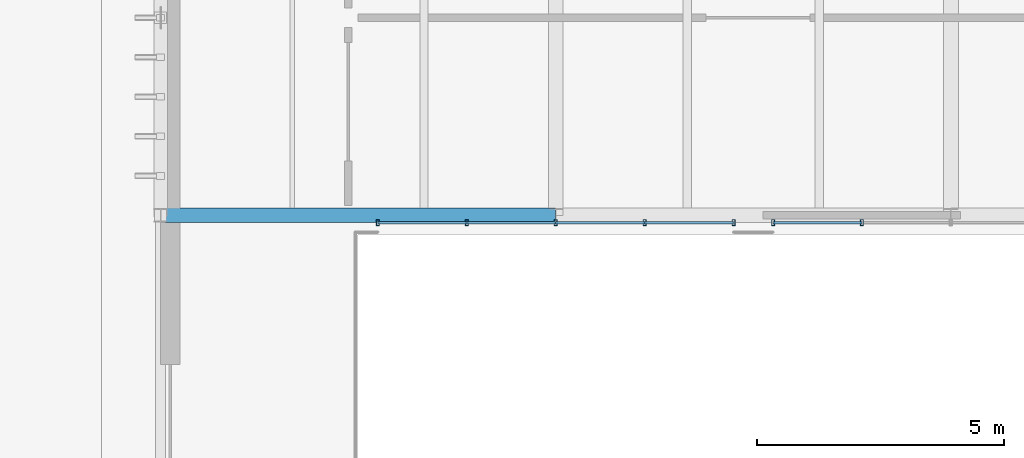
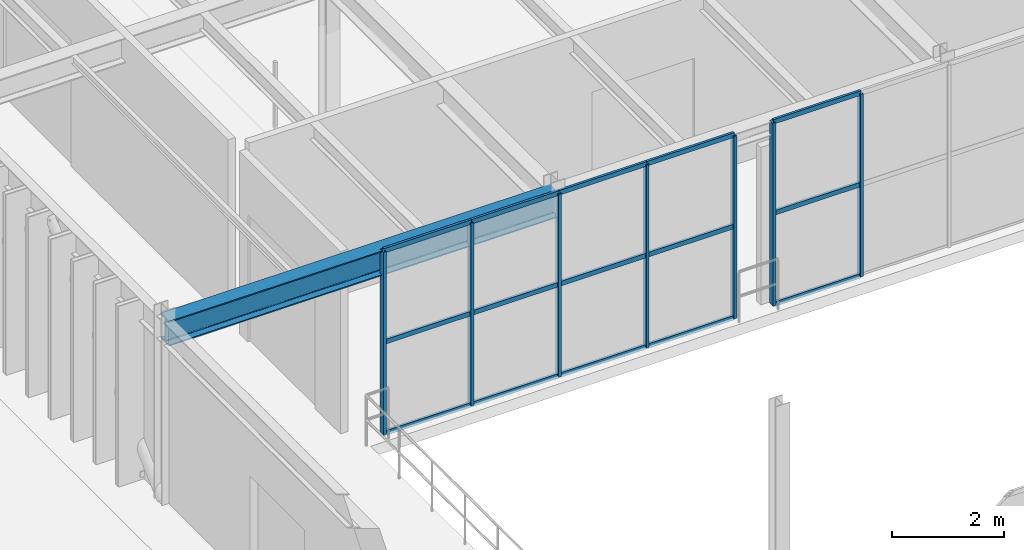
# One storey, part 44 of 122: 22 members, 1 beam, 2 elements without a shape of their own.
"""IFC4 building model written with IfcOpenShell, lengths in metres."""

from ifc_helpers import new_model, si_unit, direction, frame, origin, origin_2d, place, context, subcontext, project, spatial, hollow_rectangle, i_section, extrude, material, material_profile, profile_set, type_object, element, aggregate, save


model = new_model("IFC4")

# Units and contexts
model_context = context("Model", 3, precision=1e-05, world=origin(), true_north=direction((0.0, 1.0)))
body_context = subcontext(model_context, "Body", "Model", "MODEL_VIEW")
ifc_project = project(units=[si_unit("LENGTHUNIT", "METRE"), si_unit("AREAUNIT", "SQUARE_METRE"), si_unit("VOLUMEUNIT", "CUBIC_METRE"), si_unit("PLANEANGLEUNIT", "RADIAN"), si_unit("MASSUNIT", "GRAM", prefix="KILO")], contexts=[model_context])

# Site, building, storey
site_placement = place(None, origin())
site = spatial("IfcSite", under=ifc_project, at=site_placement, CompositionType="ELEMENT")
building_placement = place(site_placement, origin())
building = spatial("IfcBuilding", under=site, at=building_placement, Name="Sundkrona Museum", CompositionType="ELEMENT")
storey_placement = place(building_placement, frame((0.0, 0.0, 5.39990234375)))
storey = spatial("IfcBuildingStorey", under=building, at=storey_placement, Name="L01", CompositionType="ELEMENT", Elevation=5.39990234375)

# Beam
ifc_material_1 = material(Name="Steel S355J2", Category="steel")
ifc_material_profile_1 = material_profile(ifc_material_1, i_section(OverallWidth=0.300048828125, OverallDepth=0.5400390625, WebThickness=0.012451171875, FlangeThickness=0.02392578125, FilletRadius=0.027099609375, at=origin_2d()), Name="HEA 550")
ifc_profile_set_1 = profile_set([ifc_material_profile_1], Name="Steel S355J2")
beam_type = type_object("IfcBeamType", Name="B-HEA550", PredefinedType="BEAM", material=ifc_profile_set_1)
beam_placement = place(storey_placement, frame((16.0, 94.0, 3.690185546875), z_axis=(1.0, 0.0, 0.0), x_axis=(0.0, 1.0, 0.0)))
element("IfcBeam", 1, at=beam_placement, inside=storey, type_object=beam_type, Name="L01 Girder X-0908", PredefinedType="BEAM", context=body_context, shape_type="SweptSolid", body=[
    extrude(i_section(OverallWidth=0.300048828125, OverallDepth=0.5400390625, WebThickness=0.012451171875, FlangeThickness=0.02392578125, FilletRadius=0.027099609375, at=origin_2d()), origin(), (0.0, 0.0, 1.0), 8.0),
])

# Curtain wall, members
ifc_material_2 = material(Name="Unitised Aluminium-Steel and Ceramic-Clad Curtain Walling", Category="steel")
curtain_wall_type = type_object("IfcCurtainWallType", Name="CW-CL-64x38", PredefinedType="NOTDEFINED", material=ifc_material_2)
curtain_wall_1_placement = place(storey_placement, origin())
curtain_wall_1 = element("IfcCurtainWall", 2, at=curtain_wall_1_placement, inside=storey, type_object=curtain_wall_type, Name="L01 Curtain Wall CW-L01-125", PredefinedType="NOTDEFINED")
ifc_material_3 = material(Name="Aluminium EN AW-6060 T66", Category="aluminium")
ifc_material_profile_2 = material_profile(ifc_material_3, hollow_rectangle(XDim=0.06005859375, YDim=0.1201171875, WallThickness=0.0048828125, at=origin_2d()), Name="RHS 120x60x5.0")
ifc_profile_set_2 = profile_set([ifc_material_profile_2], Name="Aluminium EN AW-6060 T66")
member_type_1 = type_object("IfcMemberType", Name="ML-120", PredefinedType="MULLION", material=ifc_profile_set_2)
member_1_placement = place(storey_placement, frame((20.39990234375, 93.85009765625, -0.00390625), z_axis=(0.0, 0.0, 1.0), x_axis=(1.0, 0.0, 0.0)))
member_1 = element("IfcMember", 3, at=member_1_placement, type_object=member_type_1, Name="CW-L01-125 Mullion 01", PredefinedType="MULLION", context=body_context, shape_type="SweptSolid", body=[
    extrude(hollow_rectangle(XDim=0.06005859375, YDim=0.1201171875, WallThickness=0.0048828125, at=origin_2d()), origin(), (0.0, 0.0, 1.0), 3.968017578125),
])
member_2_placement = place(storey_placement, frame((22.199951171875, 93.85009765625, -0.00390625), z_axis=(0.0, 0.0, 1.0), x_axis=(1.0, 0.0, 0.0)))
member_2 = element("IfcMember", 4, at=member_2_placement, type_object=member_type_1, Name="CW-L01-125 Mullion 02", PredefinedType="MULLION", context=body_context, shape_type="SweptSolid", body=[
    extrude(hollow_rectangle(XDim=0.06005859375, YDim=0.1201171875, WallThickness=0.0048828125, at=origin_2d()), origin(), (0.0, 0.0, 1.0), 3.968017578125),
])
member_3_placement = place(storey_placement, frame((24.0, 93.85009765625, -0.00390625), z_axis=(0.0, 0.0, 1.0), x_axis=(1.0, 0.0, 0.0)))
member_3 = element("IfcMember", 5, at=member_3_placement, type_object=member_type_1, Name="CW-L01-125 Mullion 03", PredefinedType="MULLION", context=body_context, shape_type="SweptSolid", body=[
    extrude(hollow_rectangle(XDim=0.06005859375, YDim=0.1201171875, WallThickness=0.0048828125, at=origin_2d()), origin(), (0.0, 0.0, 1.0), 3.968017578125),
])
member_4_placement = place(storey_placement, frame((25.800048828125, 93.85009765625, -0.00390625), z_axis=(0.0, 0.0, 1.0), x_axis=(1.0, 0.0, 0.0)))
member_4 = element("IfcMember", 6, at=member_4_placement, type_object=member_type_1, Name="CW-L01-125 Mullion 04", PredefinedType="MULLION", context=body_context, shape_type="SweptSolid", body=[
    extrude(hollow_rectangle(XDim=0.06005859375, YDim=0.1201171875, WallThickness=0.0048828125, at=origin_2d()), origin(), (0.0, 0.0, 1.0), 3.968017578125),
])
member_5_placement = place(storey_placement, frame((27.60009765625, 93.85009765625, -0.00390625), z_axis=(0.0, 0.0, 1.0), x_axis=(1.0, 0.0, 0.0)))
member_5 = element("IfcMember", 7, at=member_5_placement, type_object=member_type_1, Name="CW-L01-125 Mullion 05", PredefinedType="MULLION", context=body_context, shape_type="SweptSolid", body=[
    extrude(hollow_rectangle(XDim=0.06005859375, YDim=0.1201171875, WallThickness=0.0048828125, at=origin_2d()), origin(), (0.0, 0.0, 1.0), 3.968017578125),
])

curtain_wall_2_placement = place(storey_placement, origin())
curtain_wall_2 = element("IfcCurtainWall", 8, at=curtain_wall_2_placement, inside=storey, type_object=curtain_wall_type, Name="L01 Curtain Wall CW-L01-127", PredefinedType="NOTDEFINED")
member_6_placement = place(storey_placement, frame((28.39990234375, 93.85009765625, -0.00390625), z_axis=(0.0, 0.0, 1.0), x_axis=(1.0, 0.0, 0.0)))
member_6 = element("IfcMember", 9, at=member_6_placement, type_object=member_type_1, Name="CW-L01-127 Mullion 01", PredefinedType="MULLION", context=body_context, shape_type="SweptSolid", body=[
    extrude(hollow_rectangle(XDim=0.06005859375, YDim=0.1201171875, WallThickness=0.0048828125, at=origin_2d()), origin(), (0.0, 0.0, 1.0), 3.968017578125),
])
member_7_placement = place(storey_placement, frame((30.199951171875, 93.85009765625, -0.00390625), z_axis=(0.0, 0.0, 1.0), x_axis=(1.0, 0.0, 0.0)))
member_7 = element("IfcMember", 10, at=member_7_placement, type_object=member_type_1, Name="CW-L01-127 Mullion 02", PredefinedType="MULLION", context=body_context, shape_type="SweptSolid", body=[
    extrude(hollow_rectangle(XDim=0.06005859375, YDim=0.1201171875, WallThickness=0.0048828125, at=origin_2d()), origin(), (0.0, 0.0, 1.0), 3.968017578125),
])

# Member
ifc_material_profile_3 = material_profile(ifc_material_3, hollow_rectangle(XDim=0.050048828125, YDim=0.10009765625, WallThickness=0.0048828125, at=origin_2d()), Name="RHS 100x50x5.0")
ifc_profile_set_3 = profile_set([ifc_material_profile_3], Name="Aluminium EN AW-6060 T66")
member_type_2 = type_object("IfcMemberType", Name="TR-100", PredefinedType="USERDEFINED", material=ifc_profile_set_3)
member_8_placement = place(storey_placement, frame((20.39990234375, 93.85009765625, -0.00390625), z_axis=(1.0, 0.0, 0.0), x_axis=(0.0, 1.0, 0.0)))
member_8 = element("IfcMember", 11, at=member_8_placement, type_object=member_type_2, Name="CW-L01-125 Transom 01", ObjectType="TRANSOM", PredefinedType="USERDEFINED", context=body_context, shape_type="SweptSolid", body=[
    extrude(hollow_rectangle(XDim=0.050048828125, YDim=0.10009765625, WallThickness=0.0048828125, at=origin_2d()), origin(), (0.0, 0.0, 1.0), 1.800048828125),
])

member_9_placement = place(storey_placement, frame((20.39990234375, 93.85009765625, 1.97998046875), z_axis=(1.0, 0.0, 0.0), x_axis=(0.0, 1.0, 0.0)))
member_9 = element("IfcMember", 12, at=member_9_placement, type_object=member_type_2, Name="CW-L01-125 Transom 02", ObjectType="TRANSOM", PredefinedType="USERDEFINED", context=body_context, shape_type="SweptSolid", body=[
    extrude(hollow_rectangle(XDim=0.050048828125, YDim=0.10009765625, WallThickness=0.0048828125, at=origin_2d()), origin(), (0.0, 0.0, 1.0), 1.800048828125),
])

member_10_placement = place(storey_placement, frame((20.39990234375, 93.85009765625, 3.964111328125), z_axis=(1.0, 0.0, 0.0), x_axis=(0.0, 1.0, 0.0)))
member_10 = element("IfcMember", 13, at=member_10_placement, type_object=member_type_2, Name="CW-L01-125 Transom 03", ObjectType="TRANSOM", PredefinedType="USERDEFINED", context=body_context, shape_type="SweptSolid", body=[
    extrude(hollow_rectangle(XDim=0.050048828125, YDim=0.10009765625, WallThickness=0.0048828125, at=origin_2d()), origin(), (0.0, 0.0, 1.0), 1.800048828125),
])

member_11_placement = place(storey_placement, frame((22.199951171875, 93.85009765625, -0.00390625), z_axis=(1.0, 0.0, 0.0), x_axis=(0.0, 1.0, 0.0)))
member_11 = element("IfcMember", 14, at=member_11_placement, type_object=member_type_2, Name="CW-L01-125 Transom 04", ObjectType="TRANSOM", PredefinedType="USERDEFINED", context=body_context, shape_type="SweptSolid", body=[
    extrude(hollow_rectangle(XDim=0.050048828125, YDim=0.10009765625, WallThickness=0.0048828125, at=origin_2d()), origin(), (0.0, 0.0, 1.0), 1.800048828125),
])

member_12_placement = place(storey_placement, frame((22.199951171875, 93.85009765625, 1.97998046875), z_axis=(1.0, 0.0, 0.0), x_axis=(0.0, 1.0, 0.0)))
member_12 = element("IfcMember", 15, at=member_12_placement, type_object=member_type_2, Name="CW-L01-125 Transom 05", ObjectType="TRANSOM", PredefinedType="USERDEFINED", context=body_context, shape_type="SweptSolid", body=[
    extrude(hollow_rectangle(XDim=0.050048828125, YDim=0.10009765625, WallThickness=0.0048828125, at=origin_2d()), origin(), (0.0, 0.0, 1.0), 1.800048828125),
])

member_13_placement = place(storey_placement, frame((22.199951171875, 93.85009765625, 3.964111328125), z_axis=(1.0, 0.0, 0.0), x_axis=(0.0, 1.0, 0.0)))
member_13 = element("IfcMember", 16, at=member_13_placement, type_object=member_type_2, Name="CW-L01-125 Transom 06", ObjectType="TRANSOM", PredefinedType="USERDEFINED", context=body_context, shape_type="SweptSolid", body=[
    extrude(hollow_rectangle(XDim=0.050048828125, YDim=0.10009765625, WallThickness=0.0048828125, at=origin_2d()), origin(), (0.0, 0.0, 1.0), 1.800048828125),
])

member_14_placement = place(storey_placement, frame((24.0, 93.85009765625, -0.00390625), z_axis=(1.0, 0.0, 0.0), x_axis=(0.0, 1.0, 0.0)))
member_14 = element("IfcMember", 17, at=member_14_placement, type_object=member_type_2, Name="CW-L01-125 Transom 07", ObjectType="TRANSOM", PredefinedType="USERDEFINED", context=body_context, shape_type="SweptSolid", body=[
    extrude(hollow_rectangle(XDim=0.050048828125, YDim=0.10009765625, WallThickness=0.0048828125, at=origin_2d()), origin(), (0.0, 0.0, 1.0), 1.800048828125),
])

member_15_placement = place(storey_placement, frame((24.0, 93.85009765625, 1.97998046875), z_axis=(1.0, 0.0, 0.0), x_axis=(0.0, 1.0, 0.0)))
member_15 = element("IfcMember", 18, at=member_15_placement, type_object=member_type_2, Name="CW-L01-125 Transom 08", ObjectType="TRANSOM", PredefinedType="USERDEFINED", context=body_context, shape_type="SweptSolid", body=[
    extrude(hollow_rectangle(XDim=0.050048828125, YDim=0.10009765625, WallThickness=0.0048828125, at=origin_2d()), origin(), (0.0, 0.0, 1.0), 1.800048828125),
])

member_16_placement = place(storey_placement, frame((24.0, 93.85009765625, 3.964111328125), z_axis=(1.0, 0.0, 0.0), x_axis=(0.0, 1.0, 0.0)))
member_16 = element("IfcMember", 19, at=member_16_placement, type_object=member_type_2, Name="CW-L01-125 Transom 09", ObjectType="TRANSOM", PredefinedType="USERDEFINED", context=body_context, shape_type="SweptSolid", body=[
    extrude(hollow_rectangle(XDim=0.050048828125, YDim=0.10009765625, WallThickness=0.0048828125, at=origin_2d()), origin(), (0.0, 0.0, 1.0), 1.800048828125),
])

member_17_placement = place(storey_placement, frame((25.800048828125, 93.85009765625, -0.00390625), z_axis=(1.0, 0.0, 0.0), x_axis=(0.0, 1.0, 0.0)))
member_17 = element("IfcMember", 20, at=member_17_placement, type_object=member_type_2, Name="CW-L01-125 Transom 10", ObjectType="TRANSOM", PredefinedType="USERDEFINED", context=body_context, shape_type="SweptSolid", body=[
    extrude(hollow_rectangle(XDim=0.050048828125, YDim=0.10009765625, WallThickness=0.0048828125, at=origin_2d()), origin(), (0.0, 0.0, 1.0), 1.800048828125),
])

member_18_placement = place(storey_placement, frame((25.800048828125, 93.85009765625, 1.97998046875), z_axis=(1.0, 0.0, 0.0), x_axis=(0.0, 1.0, 0.0)))
member_18 = element("IfcMember", 21, at=member_18_placement, type_object=member_type_2, Name="CW-L01-125 Transom 11", ObjectType="TRANSOM", PredefinedType="USERDEFINED", context=body_context, shape_type="SweptSolid", body=[
    extrude(hollow_rectangle(XDim=0.050048828125, YDim=0.10009765625, WallThickness=0.0048828125, at=origin_2d()), origin(), (0.0, 0.0, 1.0), 1.800048828125),
])

member_19_placement = place(storey_placement, frame((25.800048828125, 93.85009765625, 3.964111328125), z_axis=(1.0, 0.0, 0.0), x_axis=(0.0, 1.0, 0.0)))
member_19 = element("IfcMember", 22, at=member_19_placement, type_object=member_type_2, Name="CW-L01-125 Transom 12", ObjectType="TRANSOM", PredefinedType="USERDEFINED", context=body_context, shape_type="SweptSolid", body=[
    extrude(hollow_rectangle(XDim=0.050048828125, YDim=0.10009765625, WallThickness=0.0048828125, at=origin_2d()), origin(), (0.0, 0.0, 1.0), 1.800048828125),
])

aggregate(curtain_wall_1, [member_1, member_2, member_3, member_4, member_5, member_8, member_9, member_10, member_11, member_12, member_13, member_14, member_15, member_16, member_17, member_18, member_19])

member_20_placement = place(storey_placement, frame((28.39990234375, 93.85009765625, -0.00390625), z_axis=(1.0, 0.0, 0.0), x_axis=(0.0, 1.0, 0.0)))
member_20 = element("IfcMember", 23, at=member_20_placement, type_object=member_type_2, Name="CW-L01-127 Transom 01", ObjectType="TRANSOM", PredefinedType="USERDEFINED", context=body_context, shape_type="SweptSolid", body=[
    extrude(hollow_rectangle(XDim=0.050048828125, YDim=0.10009765625, WallThickness=0.0048828125, at=origin_2d()), origin(), (0.0, 0.0, 1.0), 1.800048828125),
])

member_21_placement = place(storey_placement, frame((28.39990234375, 93.85009765625, 1.97998046875), z_axis=(1.0, 0.0, 0.0), x_axis=(0.0, 1.0, 0.0)))
member_21 = element("IfcMember", 24, at=member_21_placement, type_object=member_type_2, Name="CW-L01-127 Transom 02", ObjectType="TRANSOM", PredefinedType="USERDEFINED", context=body_context, shape_type="SweptSolid", body=[
    extrude(hollow_rectangle(XDim=0.050048828125, YDim=0.10009765625, WallThickness=0.0048828125, at=origin_2d()), origin(), (0.0, 0.0, 1.0), 1.800048828125),
])

member_22_placement = place(storey_placement, frame((28.39990234375, 93.85009765625, 3.964111328125), z_axis=(1.0, 0.0, 0.0), x_axis=(0.0, 1.0, 0.0)))
member_22 = element("IfcMember", 25, at=member_22_placement, type_object=member_type_2, Name="CW-L01-127 Transom 03", ObjectType="TRANSOM", PredefinedType="USERDEFINED", context=body_context, shape_type="SweptSolid", body=[
    extrude(hollow_rectangle(XDim=0.050048828125, YDim=0.10009765625, WallThickness=0.0048828125, at=origin_2d()), origin(), (0.0, 0.0, 1.0), 1.800048828125),
])

aggregate(curtain_wall_2, [member_6, member_7, member_20, member_21, member_22])

save(model, "model.ifc")
